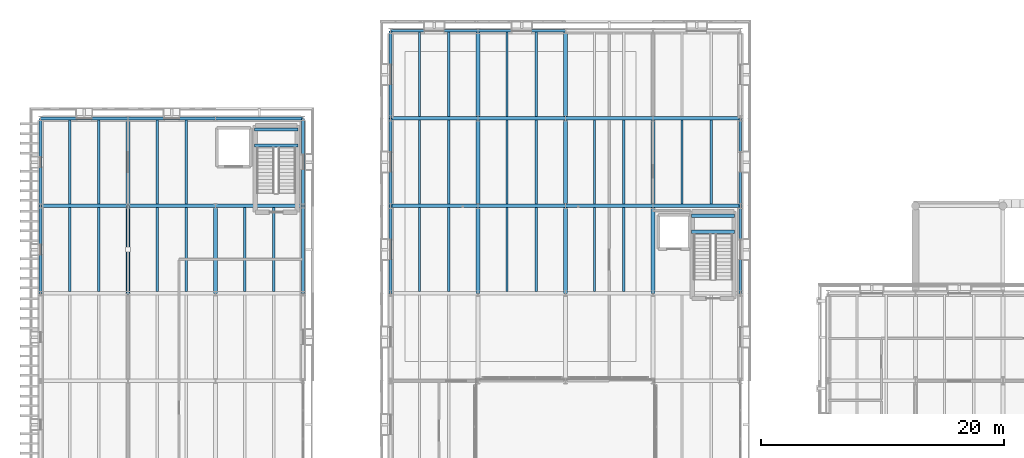
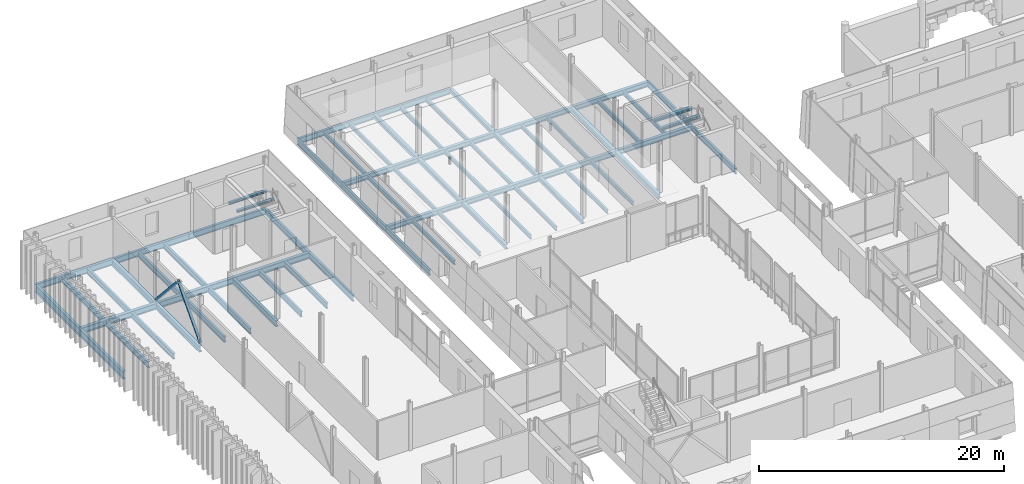
# One storey, part 32 of 121: 68 beams, 2 members.
"""IFC4 building model written with IfcOpenShell, lengths in metres."""

from ifc_helpers import new_model, si_unit, direction, frame, origin, origin_2d, place, context, subcontext, project, spatial, hollow_circle, i_section, extrude, material, material_profile, profile_set, type_object, element, save


model = new_model("IFC4")

# Units and contexts
model_context = context("Model", 3, precision=1e-05, world=origin(), true_north=direction((0.0, 1.0)))
body_context = subcontext(model_context, "Body", "Model", "MODEL_VIEW")
ifc_project = project(units=[si_unit("LENGTHUNIT", "METRE"), si_unit("AREAUNIT", "SQUARE_METRE"), si_unit("VOLUMEUNIT", "CUBIC_METRE"), si_unit("PLANEANGLEUNIT", "RADIAN"), si_unit("MASSUNIT", "GRAM", prefix="KILO")], contexts=[model_context])

# Site, building, storey
site_placement = place(None, origin())
site = spatial("IfcSite", under=ifc_project, at=site_placement, CompositionType="ELEMENT")
building_placement = place(site_placement, origin())
building = spatial("IfcBuilding", under=site, at=building_placement, Name="Narikvali Park Central Library", CompositionType="ELEMENT")
storey_placement = place(building_placement, frame((0.0, 0.0, 5.39990234375)))
storey = spatial("IfcBuildingStorey", under=building, at=storey_placement, Name="L01", CompositionType="ELEMENT", Elevation=5.39990234375)

# Beams
ifc_material = material(Name="Steel S355", Category="steel")
ifc_material_profile_1 = material_profile(ifc_material, i_section(OverallWidth=0.280029296875, OverallDepth=0.280029296875, WebThickness=0.010498046875, FlangeThickness=0.01806640625, FilletRadius=0.02392578125, at=origin_2d()), Name="HEB 280")
ifc_profile_set_1 = profile_set([ifc_material_profile_1], Name="Steel S355")
beam_type_1 = type_object("IfcBeamType", Name="Core Trimmer Girder HEB280", PredefinedType="BEAM", material=ifc_profile_set_1)
for number, where, z_axis, x_axis, name in (
    (1, (53.570068359375, 98.675048828125, 2.06005859375), (1.0, 0.0, 0.0), (0.0, 1.0, 0.0), "ST-08 L01 Landing Trimmer Beam 1-1"),
    (2, (53.570068359375, 99.97998046875, 2.06005859375), (1.0, 0.0, 0.0), (0.0, 1.0, 0.0), "ST-08 L01 Landing Trimmer Beam 1-2"),
):
    element("IfcBeam", number, at=place(storey_placement, frame(where, z_axis=z_axis, x_axis=x_axis)), inside=storey, type_object=beam_type_1, Name=name, PredefinedType="BEAM", context=body_context, shape_type="SweptSolid", body=[
        extrude(i_section(OverallWidth=0.280029296875, OverallDepth=0.280029296875, WebThickness=0.010498046875, FlangeThickness=0.01806640625, FilletRadius=0.02392578125, at=origin_2d()), origin(), (0.0, 0.0, 1.0), 3.559814453125),
    ])
ifc_material_profile_2 = material_profile(ifc_material, i_section(OverallWidth=0.264892578125, OverallDepth=0.7529296875, WebThickness=0.01318359375, FlangeThickness=0.01708984375, FilletRadius=0.01708984375, at=origin_2d()), Name="IPE 750x147")
ifc_profile_set_2 = profile_set([ifc_material_profile_2], Name="Steel S355")
beam_type_2 = type_object("IfcBeamType", Name="Fin Facade Spandrel IPE750", PredefinedType="SPANDREL", material=ifc_profile_set_2)
beam_1_placement = place(storey_placement, frame((0.0, 93.60791015625, -0.676513671875), z_axis=(0.0, 1.0, 0.0), x_axis=(-1.0, 0.0, 0.0)))
element("IfcBeam", 3, at=beam_1_placement, inside=storey, type_object=beam_type_2, Name="V5 L01 Girder Y", PredefinedType="SPANDREL", context=body_context, shape_type="SweptSolid", body=[
    extrude(i_section(OverallWidth=0.264892578125, OverallDepth=0.7529296875, WebThickness=0.01318359375, FlangeThickness=0.01708984375, FilletRadius=0.01708984375, at=origin_2d()), origin(), (0.0, 0.0, 1.0), 7.18408203125),
])
beam_2_placement = place(storey_placement, frame((0.0, 100.80810546875, -0.676513671875), z_axis=(0.0, 1.0, 0.0), x_axis=(-1.0, 0.0, 0.0)))
element("IfcBeam", 4, at=beam_2_placement, inside=storey, type_object=beam_type_2, Name="V5 L01 Girder Y", PredefinedType="SPANDREL", context=body_context, shape_type="SweptSolid", body=[
    extrude(i_section(OverallWidth=0.264892578125, OverallDepth=0.7529296875, WebThickness=0.01318359375, FlangeThickness=0.01708984375, FilletRadius=0.01708984375, at=origin_2d()), origin(), (0.0, 0.0, 1.0), 7.183837890625),
])
ifc_material_profile_3 = material_profile(ifc_material, i_section(OverallWidth=0.181884765625, OverallDepth=0.404052734375, WebThickness=0.009765625, FlangeThickness=0.015380859375, FilletRadius=0.02099609375, at=origin_2d()), Name="IPEO 400")
ifc_profile_set_3 = profile_set([ifc_material_profile_3], Name="Steel S355")
beam_type_3 = type_object("IfcBeamType", Name="Gallery Floor Joist IPEO400", PredefinedType="JOIST", material=ifc_profile_set_3)
for number, where, z_axis, x_axis, name in (
    (5, (31.199951171875, 93.75, -0.48193359375), (0.0, 1.0, 0.0), (-1.0, 0.0, 0.0), "V4 L01 Composite Joist 1"),
    (6, (33.60009765625, 93.75, -0.48193359375), (0.0, 1.0, 0.0), (-1.0, 0.0, 0.0), "V4 L01 Composite Joist 2"),
):
    element("IfcBeam", number, at=place(storey_placement, frame(where, z_axis=z_axis, x_axis=x_axis)), inside=storey, type_object=beam_type_3, Name=name, PredefinedType="JOIST", context=body_context, shape_type="SweptSolid", body=[
        extrude(i_section(OverallWidth=0.181884765625, OverallDepth=0.404052734375, WebThickness=0.009765625, FlangeThickness=0.015380859375, FilletRadius=0.02099609375, at=origin_2d()), origin(), (0.0, 0.0, 1.0), 6.89990234375),
    ])
for number, where, z_axis, x_axis, name in (
    (7, (31.199951171875, 100.949951171875, -0.48193359375), (0.0, 1.0, 0.0), (-1.0, 0.0, 0.0), "V4 L01 Composite Joist 1"),
    (8, (33.60009765625, 100.949951171875, -0.48193359375), (0.0, 1.0, 0.0), (-1.0, 0.0, 0.0), "V4 L01 Composite Joist 2"),
):
    element("IfcBeam", number, at=place(storey_placement, frame(where, z_axis=z_axis, x_axis=x_axis)), inside=storey, type_object=beam_type_3, Name=name, PredefinedType="JOIST", context=body_context, shape_type="SweptSolid", body=[
        extrude(i_section(OverallWidth=0.181884765625, OverallDepth=0.404052734375, WebThickness=0.009765625, FlangeThickness=0.015380859375, FilletRadius=0.02099609375, at=origin_2d()), origin(), (0.0, 0.0, 1.0), 6.900146484375),
    ])
for number, where, z_axis, x_axis, name in (
    (9, (31.199951171875, 108.14990234375, -0.48193359375), (0.0, 1.0, 0.0), (-1.0, 0.0, 0.0), "V4 L01 Composite Joist 1"),
    (10, (33.60009765625, 108.14990234375, -0.48193359375), (0.0, 1.0, 0.0), (-1.0, 0.0, 0.0), "V4 L01 Composite Joist 2"),
):
    element("IfcBeam", number, at=place(storey_placement, frame(where, z_axis=z_axis, x_axis=x_axis)), inside=storey, type_object=beam_type_3, Name=name, PredefinedType="JOIST", context=body_context, shape_type="SweptSolid", body=[
        extrude(i_section(OverallWidth=0.181884765625, OverallDepth=0.404052734375, WebThickness=0.009765625, FlangeThickness=0.015380859375, FilletRadius=0.02099609375, at=origin_2d()), origin(), (0.0, 0.0, 1.0), 6.945068359375),
    ])
for number, where, z_axis, x_axis, name in (
    (11, (38.39990234375, 93.75, -0.48193359375), (0.0, 1.0, 0.0), (-1.0, 0.0, 0.0), "V4 L01 Composite Joist 1"),
    (12, (40.800048828125, 93.75, -0.48193359375), (0.0, 1.0, 0.0), (-1.0, 0.0, 0.0), "V4 L01 Composite Joist 2"),
):
    element("IfcBeam", number, at=place(storey_placement, frame(where, z_axis=z_axis, x_axis=x_axis)), inside=storey, type_object=beam_type_3, Name=name, PredefinedType="JOIST", context=body_context, shape_type="SweptSolid", body=[
        extrude(i_section(OverallWidth=0.181884765625, OverallDepth=0.404052734375, WebThickness=0.009765625, FlangeThickness=0.015380859375, FilletRadius=0.02099609375, at=origin_2d()), origin(), (0.0, 0.0, 1.0), 6.89990234375),
    ])
for number, where, z_axis, x_axis, name in (
    (13, (38.39990234375, 100.949951171875, -0.48193359375), (0.0, 1.0, 0.0), (-1.0, 0.0, 0.0), "V4 L01 Composite Joist 1"),
    (14, (40.800048828125, 100.949951171875, -0.48193359375), (0.0, 1.0, 0.0), (-1.0, 0.0, 0.0), "V4 L01 Composite Joist 2"),
):
    element("IfcBeam", number, at=place(storey_placement, frame(where, z_axis=z_axis, x_axis=x_axis)), inside=storey, type_object=beam_type_3, Name=name, PredefinedType="JOIST", context=body_context, shape_type="SweptSolid", body=[
        extrude(i_section(OverallWidth=0.181884765625, OverallDepth=0.404052734375, WebThickness=0.009765625, FlangeThickness=0.015380859375, FilletRadius=0.02099609375, at=origin_2d()), origin(), (0.0, 0.0, 1.0), 6.900146484375),
    ])
for number, where, z_axis, x_axis, name in (
    (15, (38.39990234375, 108.14990234375, -0.48193359375), (0.0, 1.0, 0.0), (-1.0, 0.0, 0.0), "V4 L01 Composite Joist 1"),
    (16, (40.800048828125, 108.14990234375, -0.48193359375), (0.0, 1.0, 0.0), (-1.0, 0.0, 0.0), "V4 L01 Composite Joist 2"),
):
    element("IfcBeam", number, at=place(storey_placement, frame(where, z_axis=z_axis, x_axis=x_axis)), inside=storey, type_object=beam_type_3, Name=name, PredefinedType="JOIST", context=body_context, shape_type="SweptSolid", body=[
        extrude(i_section(OverallWidth=0.181884765625, OverallDepth=0.404052734375, WebThickness=0.009765625, FlangeThickness=0.015380859375, FilletRadius=0.02099609375, at=origin_2d()), origin(), (0.0, 0.0, 1.0), 6.945068359375),
    ])
for number, where, z_axis, x_axis, name in (
    (17, (45.60009765625, 93.75, -0.48193359375), (0.0, 1.0, 0.0), (-1.0, 0.0, 0.0), "V4 L01 Composite Joist 1"),
    (18, (48.0, 93.75, -0.48193359375), (0.0, 1.0, 0.0), (-1.0, 0.0, 0.0), "V4 L01 Composite Joist 2"),
):
    element("IfcBeam", number, at=place(storey_placement, frame(where, z_axis=z_axis, x_axis=x_axis)), inside=storey, type_object=beam_type_3, Name=name, PredefinedType="JOIST", context=body_context, shape_type="SweptSolid", body=[
        extrude(i_section(OverallWidth=0.181884765625, OverallDepth=0.404052734375, WebThickness=0.009765625, FlangeThickness=0.015380859375, FilletRadius=0.02099609375, at=origin_2d()), origin(), (0.0, 0.0, 1.0), 6.89990234375),
    ])
for number, where, z_axis, x_axis, name in (
    (19, (45.60009765625, 100.949951171875, -0.48193359375), (0.0, 1.0, 0.0), (-1.0, 0.0, 0.0), "V4 L01 Composite Joist 1"),
    (20, (48.0, 100.949951171875, -0.48193359375), (0.0, 1.0, 0.0), (-1.0, 0.0, 0.0), "V4 L01 Composite Joist 2"),
    (21, (52.800048828125, 100.949951171875, -0.48193359375), (0.0, 1.0, 0.0), (-1.0, 0.0, 0.0), "V4 L01 Composite Joist 1"),
    (22, (55.199951171875, 100.949951171875, -0.48193359375), (0.0, 1.0, 0.0), (-1.0, 0.0, 0.0), "V4 L01 Composite Joist 2"),
):
    element("IfcBeam", number, at=place(storey_placement, frame(where, z_axis=z_axis, x_axis=x_axis)), inside=storey, type_object=beam_type_3, Name=name, PredefinedType="JOIST", context=body_context, shape_type="SweptSolid", body=[
        extrude(i_section(OverallWidth=0.181884765625, OverallDepth=0.404052734375, WebThickness=0.009765625, FlangeThickness=0.015380859375, FilletRadius=0.02099609375, at=origin_2d()), origin(), (0.0, 0.0, 1.0), 6.900146484375),
    ])

# Members
ifc_material_profile_4 = material_profile(ifc_material, hollow_circle(Radius=0.136474609375, WallThickness=0.01416015625, at=origin_2d()), Name="CHS 273x14.2")
ifc_profile_set_4 = profile_set([ifc_material_profile_4], Name="Steel S355")
member_type = type_object("IfcMemberType", Name="Heavy Stack Chevron Brace CHS273x14", PredefinedType="BRACE", material=ifc_profile_set_4)
for number, where, z_axis, x_axis, name in (
    (23, (7.199951171875, 93.614990234375, 0.01513671875), (0.0, 0.670678883083, 0.741747824929), (-1.0, 0.0, 0.0), "V5 L01 Seismic Chevron Brace A"),
    (24, (7.199951171875, 100.784912109375, 0.01513671875), (0.0, -0.670678883083, 0.741747824929), (1.0, 0.0, 0.0), "V5 L01 Seismic Chevron Brace B"),
):
    element("IfcMember", number, at=place(storey_placement, frame(where, z_axis=z_axis, x_axis=x_axis)), inside=storey, type_object=member_type, Name=name, PredefinedType="BRACE", context=body_context, shape_type="SweptSolid", body=[
        extrude(hollow_circle(Radius=0.136474609375, WallThickness=0.01416015625, at=origin_2d()), origin(), (0.0, 0.0, 1.0), 5.34521484375),
    ])

# Beams
ifc_material_profile_5 = material_profile(ifc_material, i_section(OverallWidth=0.2119140625, OverallDepth=0.555908203125, WebThickness=0.0126953125, FlangeThickness=0.020263671875, FilletRadius=0.02392578125, at=origin_2d()), Name="IPEO 550")
ifc_profile_set_5 = profile_set([ifc_material_profile_5], Name="Steel S355")
beam_type_4 = type_object("IfcBeamType", Name="Heavy Stack Joist IPEO550", PredefinedType="JOIST", material=ifc_profile_set_5)
for number, where, z_axis, x_axis, name in (
    (25, (2.39990234375, 93.75, -0.577880859375), (0.0, 1.0, 0.0), (-1.0, 0.0, 0.0), "V5 L01 Composite Joist 1"),
    (26, (4.800048828125, 93.75, -0.577880859375), (0.0, 1.0, 0.0), (-1.0, 0.0, 0.0), "V5 L01 Composite Joist 2"),
):
    element("IfcBeam", number, at=place(storey_placement, frame(where, z_axis=z_axis, x_axis=x_axis)), inside=storey, type_object=beam_type_4, Name=name, PredefinedType="JOIST", context=body_context, shape_type="SweptSolid", body=[
        extrude(i_section(OverallWidth=0.2119140625, OverallDepth=0.555908203125, WebThickness=0.0126953125, FlangeThickness=0.020263671875, FilletRadius=0.02392578125, at=origin_2d()), origin(), (0.0, 0.0, 1.0), 6.89990234375),
    ])
for number, where, z_axis, x_axis, name in (
    (27, (2.39990234375, 100.949951171875, -0.577880859375), (0.0, 1.0, 0.0), (-1.0, 0.0, 0.0), "V5 L01 Composite Joist 1"),
    (28, (4.800048828125, 100.949951171875, -0.577880859375), (0.0, 1.0, 0.0), (-1.0, 0.0, 0.0), "V5 L01 Composite Joist 2"),
):
    element("IfcBeam", number, at=place(storey_placement, frame(where, z_axis=z_axis, x_axis=x_axis)), inside=storey, type_object=beam_type_4, Name=name, PredefinedType="JOIST", context=body_context, shape_type="SweptSolid", body=[
        extrude(i_section(OverallWidth=0.2119140625, OverallDepth=0.555908203125, WebThickness=0.0126953125, FlangeThickness=0.020263671875, FilletRadius=0.02392578125, at=origin_2d()), origin(), (0.0, 0.0, 1.0), 6.93994140625),
    ])
for number, where, z_axis, x_axis, name in (
    (29, (9.60009765625, 93.75, -0.577880859375), (0.0, 1.0, 0.0), (-1.0, 0.0, 0.0), "V5 L01 Composite Joist 1"),
    (30, (12.0, 93.75, -0.577880859375), (0.0, 1.0, 0.0), (-1.0, 0.0, 0.0), "V5 L01 Composite Joist 2"),
):
    element("IfcBeam", number, at=place(storey_placement, frame(where, z_axis=z_axis, x_axis=x_axis)), inside=storey, type_object=beam_type_4, Name=name, PredefinedType="JOIST", context=body_context, shape_type="SweptSolid", body=[
        extrude(i_section(OverallWidth=0.2119140625, OverallDepth=0.555908203125, WebThickness=0.0126953125, FlangeThickness=0.020263671875, FilletRadius=0.02392578125, at=origin_2d()), origin(), (0.0, 0.0, 1.0), 6.89990234375),
    ])
for number, where, z_axis, x_axis, name in (
    (31, (9.60009765625, 100.949951171875, -0.577880859375), (0.0, 1.0, 0.0), (-1.0, 0.0, 0.0), "V5 L01 Composite Joist 1"),
    (32, (12.0, 100.949951171875, -0.577880859375), (0.0, 1.0, 0.0), (-1.0, 0.0, 0.0), "V5 L01 Composite Joist 2"),
):
    element("IfcBeam", number, at=place(storey_placement, frame(where, z_axis=z_axis, x_axis=x_axis)), inside=storey, type_object=beam_type_4, Name=name, PredefinedType="JOIST", context=body_context, shape_type="SweptSolid", body=[
        extrude(i_section(OverallWidth=0.2119140625, OverallDepth=0.555908203125, WebThickness=0.0126953125, FlangeThickness=0.020263671875, FilletRadius=0.02392578125, at=origin_2d()), origin(), (0.0, 0.0, 1.0), 6.93994140625),
    ])
for number, where, z_axis, x_axis, name in (
    (33, (16.800048828125, 93.75, -0.577880859375), (0.0, 1.0, 0.0), (-1.0, 0.0, 0.0), "V5 L01 Composite Joist 1"),
    (34, (19.199951171875, 93.75, -0.577880859375), (0.0, 1.0, 0.0), (-1.0, 0.0, 0.0), "V5 L01 Composite Joist 2"),
):
    element("IfcBeam", number, at=place(storey_placement, frame(where, z_axis=z_axis, x_axis=x_axis)), inside=storey, type_object=beam_type_4, Name=name, PredefinedType="JOIST", context=body_context, shape_type="SweptSolid", body=[
        extrude(i_section(OverallWidth=0.2119140625, OverallDepth=0.555908203125, WebThickness=0.0126953125, FlangeThickness=0.020263671875, FilletRadius=0.02392578125, at=origin_2d()), origin(), (0.0, 0.0, 1.0), 6.89990234375),
    ])
ifc_material_profile_6 = material_profile(ifc_material, i_section(OverallWidth=0.2099609375, OverallDepth=0.550048828125, WebThickness=0.010986328125, FlangeThickness=0.01708984375, FilletRadius=0.02392578125, at=origin_2d()), Name="IPE 550")
ifc_profile_set_6 = profile_set([ifc_material_profile_6], Name="Steel S355")
beam_type_5 = type_object("IfcBeamType", Name="Perimeter Spandrel IPE550", PredefinedType="SPANDREL", material=ifc_profile_set_6)
for number, where, z_axis, x_axis, name in (
    (35, (28.80810546875, 115.199951171875, -0.554931640625), (1.0, 0.0, 0.0), (0.0, 1.0, 0.0), "V4 L01 Girder X"),
    (36, (36.008056640625, 115.199951171875, -0.554931640625), (1.0, 0.0, 0.0), (0.0, 1.0, 0.0), "V4 L01 Girder X"),
):
    element("IfcBeam", number, at=place(storey_placement, frame(where, z_axis=z_axis, x_axis=x_axis)), inside=storey, type_object=beam_type_5, Name=name, PredefinedType="SPANDREL", context=body_context, shape_type="SweptSolid", body=[
        extrude(i_section(OverallWidth=0.2099609375, OverallDepth=0.550048828125, WebThickness=0.010986328125, FlangeThickness=0.01708984375, FilletRadius=0.02392578125, at=origin_2d()), origin(), (0.0, 0.0, 1.0), 7.183837890625),
    ])
beam_3_placement = place(storey_placement, frame((28.800048828125, 93.60791015625, -0.554931640625), z_axis=(0.0, 1.0, 0.0), x_axis=(-1.0, 0.0, 0.0)))
element("IfcBeam", 37, at=beam_3_placement, inside=storey, type_object=beam_type_5, Name="V4 L01 Girder Y", PredefinedType="SPANDREL", context=body_context, shape_type="SweptSolid", body=[
    extrude(i_section(OverallWidth=0.2099609375, OverallDepth=0.550048828125, WebThickness=0.010986328125, FlangeThickness=0.01708984375, FilletRadius=0.02392578125, at=origin_2d()), origin(), (0.0, 0.0, 1.0), 7.18408203125),
])
for number, where, z_axis, x_axis, name in (
    (38, (28.800048828125, 100.80810546875, -0.554931640625), (0.0, 1.0, 0.0), (-1.0, 0.0, 0.0), "V4 L01 Girder Y"),
    (39, (28.800048828125, 108.008056640625, -0.554931640625), (0.0, 1.0, 0.0), (-1.0, 0.0, 0.0), "V4 L01 Girder Y"),
):
    element("IfcBeam", number, at=place(storey_placement, frame(where, z_axis=z_axis, x_axis=x_axis)), inside=storey, type_object=beam_type_5, Name=name, PredefinedType="SPANDREL", context=body_context, shape_type="SweptSolid", body=[
        extrude(i_section(OverallWidth=0.2099609375, OverallDepth=0.550048828125, WebThickness=0.010986328125, FlangeThickness=0.01708984375, FilletRadius=0.02392578125, at=origin_2d()), origin(), (0.0, 0.0, 1.0), 7.183837890625),
    ])
beam_4_placement = place(storey_placement, frame((57.60009765625, 93.60791015625, -0.554931640625), z_axis=(0.0, 1.0, 0.0), x_axis=(-1.0, 0.0, 0.0)))
element("IfcBeam", 40, at=beam_4_placement, inside=storey, type_object=beam_type_5, Name="V4 L01 Girder Y", PredefinedType="SPANDREL", context=body_context, shape_type="SweptSolid", body=[
    extrude(i_section(OverallWidth=0.2099609375, OverallDepth=0.550048828125, WebThickness=0.010986328125, FlangeThickness=0.01708984375, FilletRadius=0.02392578125, at=origin_2d()), origin(), (0.0, 0.0, 1.0), 7.18408203125),
])
beam_5_placement = place(storey_placement, frame((57.60009765625, 100.80810546875, -0.554931640625), z_axis=(0.0, 1.0, 0.0), x_axis=(-1.0, 0.0, 0.0)))
element("IfcBeam", 41, at=beam_5_placement, inside=storey, type_object=beam_type_5, Name="V4 L01 Girder Y", PredefinedType="SPANDREL", context=body_context, shape_type="SweptSolid", body=[
    extrude(i_section(OverallWidth=0.2099609375, OverallDepth=0.550048828125, WebThickness=0.010986328125, FlangeThickness=0.01708984375, FilletRadius=0.02392578125, at=origin_2d()), origin(), (0.0, 0.0, 1.0), 7.183837890625),
])
ifc_material_profile_7 = material_profile(ifc_material, i_section(OverallWidth=0.219970703125, OverallDepth=0.60009765625, WebThickness=0.011962890625, FlangeThickness=0.01904296875, FilletRadius=0.02392578125, at=origin_2d()), Name="IPE 600")
ifc_profile_set_7 = profile_set([ifc_material_profile_7], Name="Steel S355")
beam_type_6 = type_object("IfcBeamType", Name="Perimeter Spandrel IPE600", PredefinedType="SPANDREL", material=ifc_profile_set_7)
beam_6_placement = place(storey_placement, frame((0.008056640625, 108.0, -0.599853515625), z_axis=(1.0, 0.0, 0.0), x_axis=(0.0, 1.0, 0.0)))
element("IfcBeam", 42, at=beam_6_placement, inside=storey, type_object=beam_type_6, Name="V5 L01 Girder X", PredefinedType="SPANDREL", context=body_context, shape_type="SweptSolid", body=[
    extrude(i_section(OverallWidth=0.219970703125, OverallDepth=0.60009765625, WebThickness=0.011962890625, FlangeThickness=0.01904296875, FilletRadius=0.02392578125, at=origin_2d()), origin(), (0.0, 0.0, 1.0), 7.183837890625),
])
for number, where, z_axis, x_axis, name in (
    (43, (7.2080078125, 108.0, -0.599853515625), (1.0, 0.0, 0.0), (0.0, 1.0, 0.0), "V5 L01 Girder X"),
    (44, (14.407958984375, 108.0, -0.599853515625), (1.0, 0.0, 0.0), (0.0, 1.0, 0.0), "V5 L01 Girder X"),
    (45, (21.60009765625, 93.60791015625, -0.599853515625), (0.0, 1.0, 0.0), (-1.0, 0.0, 0.0), "V5 L01 Girder Y"),
):
    element("IfcBeam", number, at=place(storey_placement, frame(where, z_axis=z_axis, x_axis=x_axis)), inside=storey, type_object=beam_type_6, Name=name, PredefinedType="SPANDREL", context=body_context, shape_type="SweptSolid", body=[
        extrude(i_section(OverallWidth=0.219970703125, OverallDepth=0.60009765625, WebThickness=0.011962890625, FlangeThickness=0.01904296875, FilletRadius=0.02392578125, at=origin_2d()), origin(), (0.0, 0.0, 1.0), 7.18408203125),
    ])
beam_7_placement = place(storey_placement, frame((21.60009765625, 100.80810546875, -0.599853515625), z_axis=(0.0, 1.0, 0.0), x_axis=(-1.0, 0.0, 0.0)))
element("IfcBeam", 46, at=beam_7_placement, inside=storey, type_object=beam_type_6, Name="V5 L01 Girder Y", PredefinedType="SPANDREL", context=body_context, shape_type="SweptSolid", body=[
    extrude(i_section(OverallWidth=0.219970703125, OverallDepth=0.60009765625, WebThickness=0.011962890625, FlangeThickness=0.01904296875, FilletRadius=0.02392578125, at=origin_2d()), origin(), (0.0, 0.0, 1.0), 7.183837890625),
])
ifc_material_profile_8 = material_profile(ifc_material, i_section(OverallWidth=0.239990234375, OverallDepth=0.22998046875, WebThickness=0.007568359375, FlangeThickness=0.011962890625, FilletRadius=0.02099609375, at=origin_2d()), Name="HEA 240")
ifc_profile_set_8 = profile_set([ifc_material_profile_8], Name="Steel S355")
beam_type_7 = type_object("IfcBeamType", Name="Primary Girder HEA240", PredefinedType="BEAM", material=ifc_profile_set_8)
for number, where, z_axis, x_axis, name in (
    (47, (17.6201171875, 105.77490234375, 2.085205078125), (1.0, 0.0, 0.0), (0.0, 1.0, 0.0), "ST-10 L01 Landing Trimmer Beam 1-1"),
    (48, (17.6201171875, 107.080078125, 2.085205078125), (1.0, 0.0, 0.0), (0.0, 1.0, 0.0), "ST-10 L01 Landing Trimmer Beam 1-2"),
):
    element("IfcBeam", number, at=place(storey_placement, frame(where, z_axis=z_axis, x_axis=x_axis)), inside=storey, type_object=beam_type_7, Name=name, PredefinedType="BEAM", context=body_context, shape_type="SweptSolid", body=[
        extrude(i_section(OverallWidth=0.239990234375, OverallDepth=0.22998046875, WebThickness=0.007568359375, FlangeThickness=0.011962890625, FilletRadius=0.02099609375, at=origin_2d()), origin(), (0.0, 0.0, 1.0), 3.559814453125),
    ])
ifc_material_profile_9 = material_profile(ifc_material, i_section(OverallWidth=0.300048828125, OverallDepth=0.43994140625, WebThickness=0.011474609375, FlangeThickness=0.02099609375, FilletRadius=0.027099609375, at=origin_2d()), Name="HEA 450")
ifc_profile_set_9 = profile_set([ifc_material_profile_9], Name="Steel S355")
beam_type_8 = type_object("IfcBeamType", Name="Primary Girder HEA450", PredefinedType="BEAM", material=ifc_profile_set_9)
beam_8_placement = place(storey_placement, frame((36.0, 93.60791015625, -0.5), z_axis=(0.0, 1.0, 0.0), x_axis=(-1.0, 0.0, 0.0)))
element("IfcBeam", 49, at=beam_8_placement, inside=storey, type_object=beam_type_8, Name="V4 L01 Girder Y", PredefinedType="BEAM", context=body_context, shape_type="SweptSolid", body=[
    extrude(i_section(OverallWidth=0.300048828125, OverallDepth=0.43994140625, WebThickness=0.011474609375, FlangeThickness=0.02099609375, FilletRadius=0.027099609375, at=origin_2d()), origin(), (0.0, 0.0, 1.0), 7.18408203125),
])
for number, where, z_axis, x_axis, name in (
    (50, (36.0, 100.80810546875, -0.5), (0.0, 1.0, 0.0), (-1.0, 0.0, 0.0), "V4 L01 Girder Y"),
    (51, (36.0, 108.008056640625, -0.5), (0.0, 1.0, 0.0), (-1.0, 0.0, 0.0), "V4 L01 Girder Y"),
):
    element("IfcBeam", number, at=place(storey_placement, frame(where, z_axis=z_axis, x_axis=x_axis)), inside=storey, type_object=beam_type_8, Name=name, PredefinedType="BEAM", context=body_context, shape_type="SweptSolid", body=[
        extrude(i_section(OverallWidth=0.300048828125, OverallDepth=0.43994140625, WebThickness=0.011474609375, FlangeThickness=0.02099609375, FilletRadius=0.027099609375, at=origin_2d()), origin(), (0.0, 0.0, 1.0), 7.183837890625),
    ])
beam_9_placement = place(storey_placement, frame((43.199951171875, 93.60791015625, -0.5), z_axis=(0.0, 1.0, 0.0), x_axis=(-1.0, 0.0, 0.0)))
element("IfcBeam", 52, at=beam_9_placement, inside=storey, type_object=beam_type_8, Name="V4 L01 Girder Y", PredefinedType="BEAM", context=body_context, shape_type="SweptSolid", body=[
    extrude(i_section(OverallWidth=0.300048828125, OverallDepth=0.43994140625, WebThickness=0.011474609375, FlangeThickness=0.02099609375, FilletRadius=0.027099609375, at=origin_2d()), origin(), (0.0, 0.0, 1.0), 7.18408203125),
])
for number, where, z_axis, x_axis, name in (
    (53, (43.199951171875, 100.80810546875, -0.5), (0.0, 1.0, 0.0), (-1.0, 0.0, 0.0), "V4 L01 Girder Y"),
    (54, (43.199951171875, 108.008056640625, -0.5), (0.0, 1.0, 0.0), (-1.0, 0.0, 0.0), "V4 L01 Girder Y"),
):
    element("IfcBeam", number, at=place(storey_placement, frame(where, z_axis=z_axis, x_axis=x_axis)), inside=storey, type_object=beam_type_8, Name=name, PredefinedType="BEAM", context=body_context, shape_type="SweptSolid", body=[
        extrude(i_section(OverallWidth=0.300048828125, OverallDepth=0.43994140625, WebThickness=0.011474609375, FlangeThickness=0.02099609375, FilletRadius=0.027099609375, at=origin_2d()), origin(), (0.0, 0.0, 1.0), 7.183837890625),
    ])
beam_10_placement = place(storey_placement, frame((50.39990234375, 93.60791015625, -0.5), z_axis=(0.0, 1.0, 0.0), x_axis=(-1.0, 0.0, 0.0)))
element("IfcBeam", 55, at=beam_10_placement, inside=storey, type_object=beam_type_8, Name="V4 L01 Girder Y", PredefinedType="BEAM", context=body_context, shape_type="SweptSolid", body=[
    extrude(i_section(OverallWidth=0.300048828125, OverallDepth=0.43994140625, WebThickness=0.011474609375, FlangeThickness=0.02099609375, FilletRadius=0.027099609375, at=origin_2d()), origin(), (0.0, 0.0, 1.0), 7.18408203125),
])
beam_11_placement = place(storey_placement, frame((50.39990234375, 100.80810546875, -0.5), z_axis=(0.0, 1.0, 0.0), x_axis=(-1.0, 0.0, 0.0)))
element("IfcBeam", 56, at=beam_11_placement, inside=storey, type_object=beam_type_8, Name="V4 L01 Girder Y", PredefinedType="BEAM", context=body_context, shape_type="SweptSolid", body=[
    extrude(i_section(OverallWidth=0.300048828125, OverallDepth=0.43994140625, WebThickness=0.011474609375, FlangeThickness=0.02099609375, FilletRadius=0.027099609375, at=origin_2d()), origin(), (0.0, 0.0, 1.0), 7.183837890625),
])
ifc_material_profile_10 = material_profile(ifc_material, i_section(OverallWidth=0.300048828125, OverallDepth=0.489990234375, WebThickness=0.011962890625, FlangeThickness=0.02294921875, FilletRadius=0.027099609375, at=origin_2d()), Name="HEA 500")
ifc_profile_set_10 = profile_set([ifc_material_profile_10], Name="Steel S355")
beam_type_9 = type_object("IfcBeamType", Name="Primary Girder HEA500", PredefinedType="BEAM", material=ifc_profile_set_10)
for number, where, z_axis, x_axis, name in (
    (57, (28.80810546875, 100.800048828125, -0.52490234375), (1.0, 0.0, 0.0), (0.0, 1.0, 0.0), "V4 L01 Girder X"),
    (58, (36.008056640625, 100.800048828125, -0.52490234375), (1.0, 0.0, 0.0), (0.0, 1.0, 0.0), "V4 L01 Girder X"),
):
    element("IfcBeam", number, at=place(storey_placement, frame(where, z_axis=z_axis, x_axis=x_axis)), inside=storey, type_object=beam_type_9, Name=name, PredefinedType="BEAM", context=body_context, shape_type="SweptSolid", body=[
        extrude(i_section(OverallWidth=0.300048828125, OverallDepth=0.489990234375, WebThickness=0.011962890625, FlangeThickness=0.02294921875, FilletRadius=0.027099609375, at=origin_2d()), origin(), (0.0, 0.0, 1.0), 7.183837890625),
    ])
for number, where, z_axis, x_axis, name in (
    (59, (43.2080078125, 100.800048828125, -0.52490234375), (1.0, 0.0, 0.0), (0.0, 1.0, 0.0), "V4 L01 Girder X"),
    (60, (50.407958984375, 100.800048828125, -0.52490234375), (1.0, 0.0, 0.0), (0.0, 1.0, 0.0), "V4 L01 Girder X"),
):
    element("IfcBeam", number, at=place(storey_placement, frame(where, z_axis=z_axis, x_axis=x_axis)), inside=storey, type_object=beam_type_9, Name=name, PredefinedType="BEAM", context=body_context, shape_type="SweptSolid", body=[
        extrude(i_section(OverallWidth=0.300048828125, OverallDepth=0.489990234375, WebThickness=0.011962890625, FlangeThickness=0.02294921875, FilletRadius=0.027099609375, at=origin_2d()), origin(), (0.0, 0.0, 1.0), 7.18408203125),
    ])
for number, where, z_axis, x_axis, name in (
    (61, (28.80810546875, 108.0, -0.52490234375), (1.0, 0.0, 0.0), (0.0, 1.0, 0.0), "V4 L01 Girder X"),
    (62, (36.008056640625, 108.0, -0.52490234375), (1.0, 0.0, 0.0), (0.0, 1.0, 0.0), "V4 L01 Girder X"),
):
    element("IfcBeam", number, at=place(storey_placement, frame(where, z_axis=z_axis, x_axis=x_axis)), inside=storey, type_object=beam_type_9, Name=name, PredefinedType="BEAM", context=body_context, shape_type="SweptSolid", body=[
        extrude(i_section(OverallWidth=0.300048828125, OverallDepth=0.489990234375, WebThickness=0.011962890625, FlangeThickness=0.02294921875, FilletRadius=0.027099609375, at=origin_2d()), origin(), (0.0, 0.0, 1.0), 7.183837890625),
    ])
for number, where, z_axis, x_axis, name in (
    (63, (43.2080078125, 108.0, -0.52490234375), (1.0, 0.0, 0.0), (0.0, 1.0, 0.0), "V4 L01 Girder X"),
    (64, (50.407958984375, 108.0, -0.52490234375), (1.0, 0.0, 0.0), (0.0, 1.0, 0.0), "V4 L01 Girder X"),
):
    element("IfcBeam", number, at=place(storey_placement, frame(where, z_axis=z_axis, x_axis=x_axis)), inside=storey, type_object=beam_type_9, Name=name, PredefinedType="BEAM", context=body_context, shape_type="SweptSolid", body=[
        extrude(i_section(OverallWidth=0.300048828125, OverallDepth=0.489990234375, WebThickness=0.011962890625, FlangeThickness=0.02294921875, FilletRadius=0.027099609375, at=origin_2d()), origin(), (0.0, 0.0, 1.0), 7.18408203125),
    ])
ifc_material_profile_11 = material_profile(ifc_material, i_section(OverallWidth=0.300048828125, OverallDepth=0.590087890625, WebThickness=0.012939453125, FlangeThickness=0.02490234375, FilletRadius=0.027099609375, at=origin_2d()), Name="HEA 600")
ifc_profile_set_11 = profile_set([ifc_material_profile_11], Name="Steel S355")
beam_type_10 = type_object("IfcBeamType", Name="Primary Girder HEA600", PredefinedType="BEAM", material=ifc_profile_set_11)
beam_12_placement = place(storey_placement, frame((7.199951171875, 93.60791015625, -0.594970703125), z_axis=(0.0, 1.0, 0.0), x_axis=(-1.0, 0.0, 0.0)))
element("IfcBeam", 65, at=beam_12_placement, inside=storey, type_object=beam_type_10, Name="V5 L01 Girder Y", PredefinedType="BEAM", context=body_context, shape_type="SweptSolid", body=[
    extrude(i_section(OverallWidth=0.300048828125, OverallDepth=0.590087890625, WebThickness=0.012939453125, FlangeThickness=0.02490234375, FilletRadius=0.027099609375, at=origin_2d()), origin(), (0.0, 0.0, 1.0), 7.18408203125),
])
beam_13_placement = place(storey_placement, frame((7.199951171875, 100.80810546875, -0.594970703125), z_axis=(0.0, 1.0, 0.0), x_axis=(-1.0, 0.0, 0.0)))
element("IfcBeam", 66, at=beam_13_placement, inside=storey, type_object=beam_type_10, Name="V5 L01 Girder Y", PredefinedType="BEAM", context=body_context, shape_type="SweptSolid", body=[
    extrude(i_section(OverallWidth=0.300048828125, OverallDepth=0.590087890625, WebThickness=0.012939453125, FlangeThickness=0.02490234375, FilletRadius=0.027099609375, at=origin_2d()), origin(), (0.0, 0.0, 1.0), 7.183837890625),
])
beam_14_placement = place(storey_placement, frame((14.39990234375, 93.60791015625, -0.594970703125), z_axis=(0.0, 1.0, 0.0), x_axis=(-1.0, 0.0, 0.0)))
element("IfcBeam", 67, at=beam_14_placement, inside=storey, type_object=beam_type_10, Name="V5 L01 Girder Y", PredefinedType="BEAM", context=body_context, shape_type="SweptSolid", body=[
    extrude(i_section(OverallWidth=0.300048828125, OverallDepth=0.590087890625, WebThickness=0.012939453125, FlangeThickness=0.02490234375, FilletRadius=0.027099609375, at=origin_2d()), origin(), (0.0, 0.0, 1.0), 7.18408203125),
])
ifc_material_profile_12 = material_profile(ifc_material, i_section(OverallWidth=0.300048828125, OverallDepth=0.60009765625, WebThickness=0.015380859375, FlangeThickness=0.030029296875, FilletRadius=0.027099609375, at=origin_2d()), Name="HEB 600")
ifc_profile_set_12 = profile_set([ifc_material_profile_12], Name="Steel S355")
beam_type_11 = type_object("IfcBeamType", Name="Primary Stack Girder HEB600", PredefinedType="BEAM", material=ifc_profile_set_12)
beam_15_placement = place(storey_placement, frame((0.008056640625, 100.800048828125, -0.599853515625), z_axis=(1.0, 0.0, 0.0), x_axis=(0.0, 1.0, 0.0)))
element("IfcBeam", 68, at=beam_15_placement, inside=storey, type_object=beam_type_11, Name="V5 L01 Girder X", PredefinedType="BEAM", context=body_context, shape_type="SweptSolid", body=[
    extrude(i_section(OverallWidth=0.300048828125, OverallDepth=0.60009765625, WebThickness=0.015380859375, FlangeThickness=0.030029296875, FilletRadius=0.027099609375, at=origin_2d()), origin(), (0.0, 0.0, 1.0), 7.183837890625),
])
for number, where, z_axis, x_axis, name in (
    (69, (7.2080078125, 100.800048828125, -0.599853515625), (1.0, 0.0, 0.0), (0.0, 1.0, 0.0), "V5 L01 Girder X"),
    (70, (14.407958984375, 100.800048828125, -0.599853515625), (1.0, 0.0, 0.0), (0.0, 1.0, 0.0), "V5 L01 Girder X"),
):
    element("IfcBeam", number, at=place(storey_placement, frame(where, z_axis=z_axis, x_axis=x_axis)), inside=storey, type_object=beam_type_11, Name=name, PredefinedType="BEAM", context=body_context, shape_type="SweptSolid", body=[
        extrude(i_section(OverallWidth=0.300048828125, OverallDepth=0.60009765625, WebThickness=0.015380859375, FlangeThickness=0.030029296875, FilletRadius=0.027099609375, at=origin_2d()), origin(), (0.0, 0.0, 1.0), 7.18408203125),
    ])

save(model, "model.ifc")
